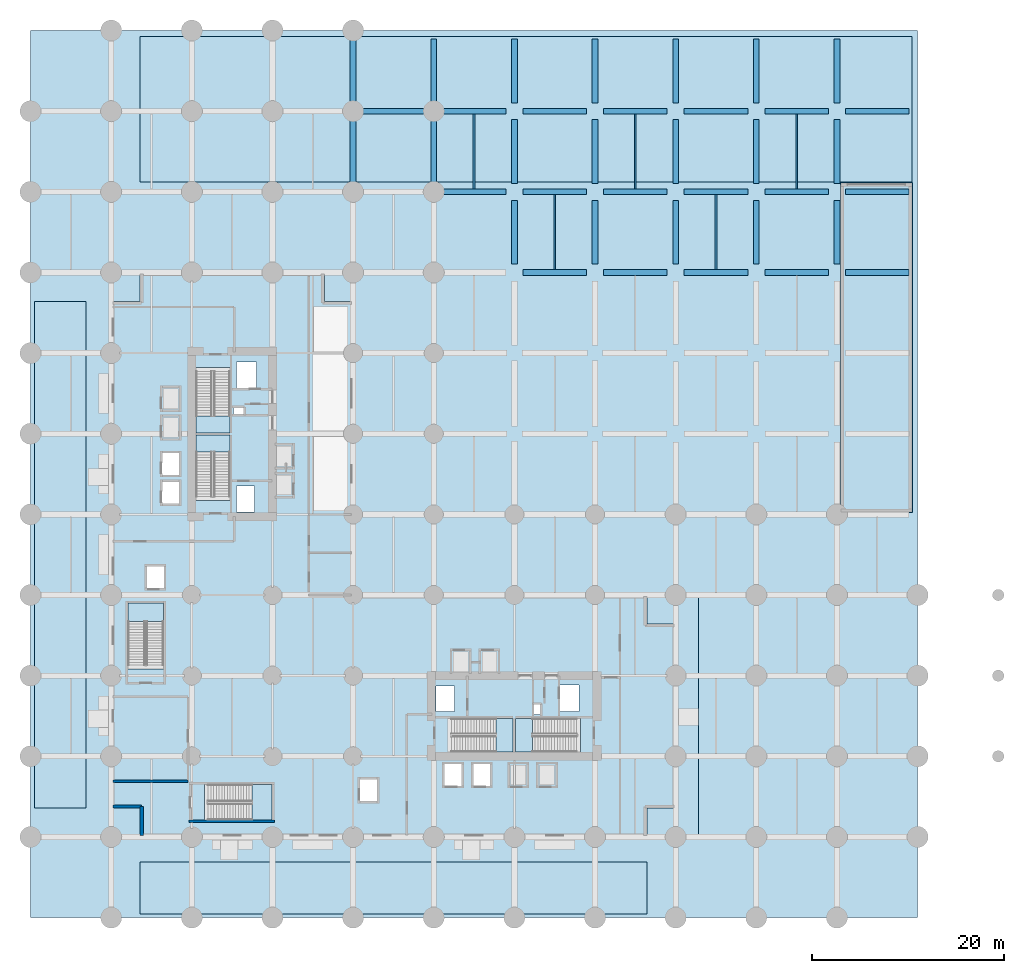
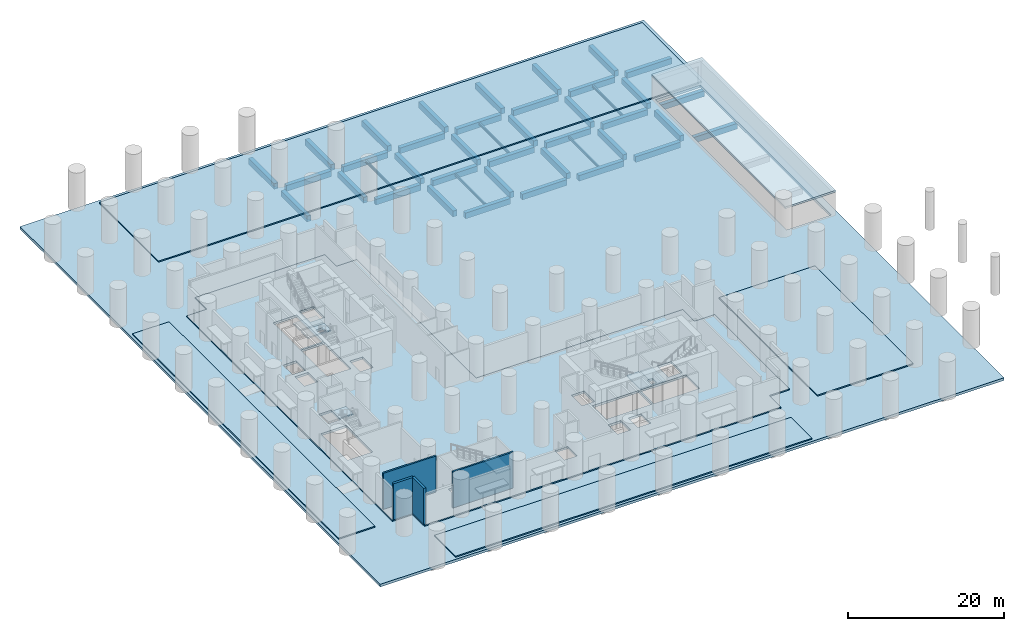
# One storey, part 4 of 13: 42 beams, 13 slabs, 4 walls, 6 elements without a shape of their own.
"""IFC4 building model written with IfcOpenShell, lengths in metres."""

from ifc_helpers import new_model, si_unit, direction, frame, frame_2d, origin, origin_2d, place, context, subcontext, project, spatial, polyline, rectangle, i_section, outline, extrude, material, layer, layer_set, material_profile, profile_set, type_object, element, aggregate, save


model = new_model("IFC4")

# Units and contexts
model_context = context("Model", 3, precision=1e-05, world=origin(), true_north=direction((0.0, 1.0)))
body_context = subcontext(model_context, "Body", "Model", "MODEL_VIEW")
ifc_project = project(units=[si_unit("LENGTHUNIT", "METRE"), si_unit("AREAUNIT", "SQUARE_METRE"), si_unit("VOLUMEUNIT", "CUBIC_METRE"), si_unit("PLANEANGLEUNIT", "RADIAN"), si_unit("MASSUNIT", "GRAM", prefix="KILO")], contexts=[model_context])

# Site, building, storey
site_placement = place(None, origin())
site = spatial("IfcSite", under=ifc_project, at=site_placement, CompositionType="ELEMENT")
building_placement = place(site_placement, origin())
building = spatial("IfcBuilding", under=site, at=building_placement, Name="Koriwani Terraces Tower", CompositionType="ELEMENT")
storey_placement = place(building_placement, origin())
storey = spatial("IfcBuildingStorey", under=building, at=storey_placement, Name="L00", CompositionType="ELEMENT", Elevation=0.0)

# Beams
ifc_material_1 = material(Name="Concrete C60/75", Category="concrete")
ifc_material_profile_1 = material_profile(ifc_material_1, rectangle(XDim=0.60009765625, YDim=0.89990234375, at=origin_2d()), Name="Concrete C60/75", Category="LoadBearing")
ifc_profile_set_1 = profile_set([ifc_material_profile_1], Name="Concrete C60/75")
beam_type_1 = type_object("IfcBeamType", Name="BEAM_RC_SPANDREL_600X900", PredefinedType="SPANDREL", material=ifc_profile_set_1)
beam_1_placement = place(storey_placement, frame((51.280029296875, 67.199951171875, -1.030029296875), z_axis=(1.0, 0.0, 0.0), x_axis=(0.0, 1.0, 0.0)))
element("IfcBeam", 1, at=beam_1_placement, inside=storey, type_object=beam_type_1, Name="L00 Spandrel Beam I (50.4-58.8m)", PredefinedType="SPANDREL", context=body_context, shape_type="SweptSolid", body=[
    extrude(rectangle(XDim=0.60009765625, YDim=0.89990234375, at=origin_2d()), origin(), (0.0, 0.0, 1.0), 6.639892578125),
])
beam_2_placement = place(storey_placement, frame((59.679931640625, 67.199951171875, -1.030029296875), z_axis=(1.0, 0.0, 0.0), x_axis=(0.0, 1.0, 0.0)))
element("IfcBeam", 2, at=beam_2_placement, inside=storey, type_object=beam_type_1, Name="L00 Spandrel Beam I (58.8-67.2m)", PredefinedType="SPANDREL", context=body_context, shape_type="SweptSolid", body=[
    extrude(rectangle(XDim=0.60009765625, YDim=0.89990234375, at=origin_2d()), origin(), (0.0, 0.0, 1.0), 6.64013671875),
])
beam_3_placement = place(storey_placement, frame((68.080078125, 67.199951171875, -1.030029296875), z_axis=(1.0, 0.0, 0.0), x_axis=(0.0, 1.0, 0.0)))
element("IfcBeam", 3, at=beam_3_placement, inside=storey, type_object=beam_type_1, Name="L00 Spandrel Beam I (67.2-75.6m)", PredefinedType="SPANDREL", context=body_context, shape_type="SweptSolid", body=[
    extrude(rectangle(XDim=0.60009765625, YDim=0.89990234375, at=origin_2d()), origin(), (0.0, 0.0, 1.0), 6.639892578125),
])
for number, where, z_axis, x_axis, name in (
    (4, (76.47998046875, 67.199951171875, -1.030029296875), (1.0, 0.0, 0.0), (0.0, 1.0, 0.0), "L00 Spandrel Beam I (75.6-84.0m)"),
    (5, (84.8798828125, 67.199951171875, -1.030029296875), (1.0, 0.0, 0.0), (0.0, 1.0, 0.0), "L00 Spandrel Beam I (84.0-92.4m)"),
    (6, (42.8798828125, 75.60009765625, -1.030029296875), (1.0, 0.0, 0.0), (0.0, 1.0, 0.0), "L00 Spandrel Beam J (42.0-50.4m)"),
):
    element("IfcBeam", number, at=place(storey_placement, frame(where, z_axis=z_axis, x_axis=x_axis)), inside=storey, type_object=beam_type_1, Name=name, PredefinedType="SPANDREL", context=body_context, shape_type="SweptSolid", body=[
        extrude(rectangle(XDim=0.60009765625, YDim=0.89990234375, at=origin_2d()), origin(), (0.0, 0.0, 1.0), 6.64013671875),
    ])
beam_4_placement = place(storey_placement, frame((51.280029296875, 75.60009765625, -1.030029296875), z_axis=(1.0, 0.0, 0.0), x_axis=(0.0, 1.0, 0.0)))
element("IfcBeam", 7, at=beam_4_placement, inside=storey, type_object=beam_type_1, Name="L00 Spandrel Beam J (50.4-58.8m)", PredefinedType="SPANDREL", context=body_context, shape_type="SweptSolid", body=[
    extrude(rectangle(XDim=0.60009765625, YDim=0.89990234375, at=origin_2d()), origin(), (0.0, 0.0, 1.0), 6.639892578125),
])
beam_5_placement = place(storey_placement, frame((59.679931640625, 75.60009765625, -1.030029296875), z_axis=(1.0, 0.0, 0.0), x_axis=(0.0, 1.0, 0.0)))
element("IfcBeam", 8, at=beam_5_placement, inside=storey, type_object=beam_type_1, Name="L00 Spandrel Beam J (58.8-67.2m)", PredefinedType="SPANDREL", context=body_context, shape_type="SweptSolid", body=[
    extrude(rectangle(XDim=0.60009765625, YDim=0.89990234375, at=origin_2d()), origin(), (0.0, 0.0, 1.0), 6.64013671875),
])
beam_6_placement = place(storey_placement, frame((68.080078125, 75.60009765625, -1.030029296875), z_axis=(1.0, 0.0, 0.0), x_axis=(0.0, 1.0, 0.0)))
element("IfcBeam", 9, at=beam_6_placement, inside=storey, type_object=beam_type_1, Name="L00 Spandrel Beam J (67.2-75.6m)", PredefinedType="SPANDREL", context=body_context, shape_type="SweptSolid", body=[
    extrude(rectangle(XDim=0.60009765625, YDim=0.89990234375, at=origin_2d()), origin(), (0.0, 0.0, 1.0), 6.639892578125),
])
for number, where, z_axis, x_axis, name in (
    (10, (76.47998046875, 75.60009765625, -1.030029296875), (1.0, 0.0, 0.0), (0.0, 1.0, 0.0), "L00 Spandrel Beam J (75.6-84.0m)"),
    (11, (84.8798828125, 75.60009765625, -1.030029296875), (1.0, 0.0, 0.0), (0.0, 1.0, 0.0), "L00 Spandrel Beam J (84.0-92.4m)"),
    (12, (34.47998046875, 84.0, -1.030029296875), (1.0, 0.0, 0.0), (0.0, 1.0, 0.0), "L00 Spandrel Beam K (33.6-42.0m)"),
    (13, (42.8798828125, 84.0, -1.030029296875), (1.0, 0.0, 0.0), (0.0, 1.0, 0.0), "L00 Spandrel Beam K (42.0-50.4m)"),
):
    element("IfcBeam", number, at=place(storey_placement, frame(where, z_axis=z_axis, x_axis=x_axis)), inside=storey, type_object=beam_type_1, Name=name, PredefinedType="SPANDREL", context=body_context, shape_type="SweptSolid", body=[
        extrude(rectangle(XDim=0.60009765625, YDim=0.89990234375, at=origin_2d()), origin(), (0.0, 0.0, 1.0), 6.64013671875),
    ])
beam_7_placement = place(storey_placement, frame((51.280029296875, 84.0, -1.030029296875), z_axis=(1.0, 0.0, 0.0), x_axis=(0.0, 1.0, 0.0)))
element("IfcBeam", 14, at=beam_7_placement, inside=storey, type_object=beam_type_1, Name="L00 Spandrel Beam K (50.4-58.8m)", PredefinedType="SPANDREL", context=body_context, shape_type="SweptSolid", body=[
    extrude(rectangle(XDim=0.60009765625, YDim=0.89990234375, at=origin_2d()), origin(), (0.0, 0.0, 1.0), 6.639892578125),
])
beam_8_placement = place(storey_placement, frame((59.679931640625, 84.0, -1.030029296875), z_axis=(1.0, 0.0, 0.0), x_axis=(0.0, 1.0, 0.0)))
element("IfcBeam", 15, at=beam_8_placement, inside=storey, type_object=beam_type_1, Name="L00 Spandrel Beam K (58.8-67.2m)", PredefinedType="SPANDREL", context=body_context, shape_type="SweptSolid", body=[
    extrude(rectangle(XDim=0.60009765625, YDim=0.89990234375, at=origin_2d()), origin(), (0.0, 0.0, 1.0), 6.64013671875),
])
beam_9_placement = place(storey_placement, frame((68.080078125, 84.0, -1.030029296875), z_axis=(1.0, 0.0, 0.0), x_axis=(0.0, 1.0, 0.0)))
element("IfcBeam", 16, at=beam_9_placement, inside=storey, type_object=beam_type_1, Name="L00 Spandrel Beam K (67.2-75.6m)", PredefinedType="SPANDREL", context=body_context, shape_type="SweptSolid", body=[
    extrude(rectangle(XDim=0.60009765625, YDim=0.89990234375, at=origin_2d()), origin(), (0.0, 0.0, 1.0), 6.639892578125),
])
for number, where, z_axis, x_axis, name in (
    (17, (76.47998046875, 84.0, -1.030029296875), (1.0, 0.0, 0.0), (0.0, 1.0, 0.0), "L00 Spandrel Beam K (75.6-84.0m)"),
    (18, (84.8798828125, 84.0, -1.030029296875), (1.0, 0.0, 0.0), (0.0, 1.0, 0.0), "L00 Spandrel Beam K (84.0-92.4m)"),
    (19, (33.60009765625, 76.47998046875, -1.030029296875), (0.0, 1.0, 0.0), (-1.0, 0.0, 0.0), "L00 Spandrel Beam 5 (75.6-84.0m)"),
    (20, (33.60009765625, 84.8798828125, -1.030029296875), (0.0, 1.0, 0.0), (-1.0, 0.0, 0.0), "L00 Spandrel Beam 5 (84.0-92.4m)"),
    (21, (42.0, 76.47998046875, -1.030029296875), (0.0, 1.0, 0.0), (-1.0, 0.0, 0.0), "L00 Spandrel Beam 6 (75.6-84.0m)"),
    (22, (42.0, 84.8798828125, -1.030029296875), (0.0, 1.0, 0.0), (-1.0, 0.0, 0.0), "L00 Spandrel Beam 6 (84.0-92.4m)"),
):
    element("IfcBeam", number, at=place(storey_placement, frame(where, z_axis=z_axis, x_axis=x_axis)), inside=storey, type_object=beam_type_1, Name=name, PredefinedType="SPANDREL", context=body_context, shape_type="SweptSolid", body=[
        extrude(rectangle(XDim=0.60009765625, YDim=0.89990234375, at=origin_2d()), origin(), (0.0, 0.0, 1.0), 6.64013671875),
    ])
beam_10_placement = place(storey_placement, frame((50.39990234375, 68.080078125, -1.030029296875), z_axis=(0.0, 1.0, 0.0), x_axis=(-1.0, 0.0, 0.0)))
element("IfcBeam", 23, at=beam_10_placement, inside=storey, type_object=beam_type_1, Name="L00 Spandrel Beam 7 (67.2-75.6m)", PredefinedType="SPANDREL", context=body_context, shape_type="SweptSolid", body=[
    extrude(rectangle(XDim=0.60009765625, YDim=0.89990234375, at=origin_2d()), origin(), (0.0, 0.0, 1.0), 6.639892578125),
])
for number, where, z_axis, x_axis, name in (
    (24, (50.39990234375, 76.47998046875, -1.030029296875), (0.0, 1.0, 0.0), (-1.0, 0.0, 0.0), "L00 Spandrel Beam 7 (75.6-84.0m)"),
    (25, (50.39990234375, 84.8798828125, -1.030029296875), (0.0, 1.0, 0.0), (-1.0, 0.0, 0.0), "L00 Spandrel Beam 7 (84.0-92.4m)"),
):
    element("IfcBeam", number, at=place(storey_placement, frame(where, z_axis=z_axis, x_axis=x_axis)), inside=storey, type_object=beam_type_1, Name=name, PredefinedType="SPANDREL", context=body_context, shape_type="SweptSolid", body=[
        extrude(rectangle(XDim=0.60009765625, YDim=0.89990234375, at=origin_2d()), origin(), (0.0, 0.0, 1.0), 6.64013671875),
    ])
beam_11_placement = place(storey_placement, frame((58.800048828125, 68.080078125, -1.030029296875), z_axis=(0.0, 1.0, 0.0), x_axis=(-1.0, 0.0, 0.0)))
element("IfcBeam", 26, at=beam_11_placement, inside=storey, type_object=beam_type_1, Name="L00 Spandrel Beam 8 (67.2-75.6m)", PredefinedType="SPANDREL", context=body_context, shape_type="SweptSolid", body=[
    extrude(rectangle(XDim=0.60009765625, YDim=0.89990234375, at=origin_2d()), origin(), (0.0, 0.0, 1.0), 6.639892578125),
])
for number, where, z_axis, x_axis, name in (
    (27, (58.800048828125, 76.47998046875, -1.030029296875), (0.0, 1.0, 0.0), (-1.0, 0.0, 0.0), "L00 Spandrel Beam 8 (75.6-84.0m)"),
    (28, (58.800048828125, 84.8798828125, -1.030029296875), (0.0, 1.0, 0.0), (-1.0, 0.0, 0.0), "L00 Spandrel Beam 8 (84.0-92.4m)"),
):
    element("IfcBeam", number, at=place(storey_placement, frame(where, z_axis=z_axis, x_axis=x_axis)), inside=storey, type_object=beam_type_1, Name=name, PredefinedType="SPANDREL", context=body_context, shape_type="SweptSolid", body=[
        extrude(rectangle(XDim=0.60009765625, YDim=0.89990234375, at=origin_2d()), origin(), (0.0, 0.0, 1.0), 6.64013671875),
    ])
beam_12_placement = place(storey_placement, frame((67.199951171875, 68.080078125, -1.030029296875), z_axis=(0.0, 1.0, 0.0), x_axis=(-1.0, 0.0, 0.0)))
element("IfcBeam", 29, at=beam_12_placement, inside=storey, type_object=beam_type_1, Name="L00 Spandrel Beam 9 (67.2-75.6m)", PredefinedType="SPANDREL", context=body_context, shape_type="SweptSolid", body=[
    extrude(rectangle(XDim=0.60009765625, YDim=0.89990234375, at=origin_2d()), origin(), (0.0, 0.0, 1.0), 6.639892578125),
])
for number, where, z_axis, x_axis, name in (
    (30, (67.199951171875, 76.47998046875, -1.030029296875), (0.0, 1.0, 0.0), (-1.0, 0.0, 0.0), "L00 Spandrel Beam 9 (75.6-84.0m)"),
    (31, (67.199951171875, 84.8798828125, -1.030029296875), (0.0, 1.0, 0.0), (-1.0, 0.0, 0.0), "L00 Spandrel Beam 9 (84.0-92.4m)"),
):
    element("IfcBeam", number, at=place(storey_placement, frame(where, z_axis=z_axis, x_axis=x_axis)), inside=storey, type_object=beam_type_1, Name=name, PredefinedType="SPANDREL", context=body_context, shape_type="SweptSolid", body=[
        extrude(rectangle(XDim=0.60009765625, YDim=0.89990234375, at=origin_2d()), origin(), (0.0, 0.0, 1.0), 6.64013671875),
    ])
beam_13_placement = place(storey_placement, frame((75.60009765625, 68.080078125, -1.030029296875), z_axis=(0.0, 1.0, 0.0), x_axis=(-1.0, 0.0, 0.0)))
element("IfcBeam", 32, at=beam_13_placement, inside=storey, type_object=beam_type_1, Name="L00 Spandrel Beam 10 (67.2-75.6m)", PredefinedType="SPANDREL", context=body_context, shape_type="SweptSolid", body=[
    extrude(rectangle(XDim=0.60009765625, YDim=0.89990234375, at=origin_2d()), origin(), (0.0, 0.0, 1.0), 6.639892578125),
])
for number, where, z_axis, x_axis, name in (
    (33, (75.60009765625, 76.47998046875, -1.030029296875), (0.0, 1.0, 0.0), (-1.0, 0.0, 0.0), "L00 Spandrel Beam 10 (75.6-84.0m)"),
    (34, (75.60009765625, 84.8798828125, -1.030029296875), (0.0, 1.0, 0.0), (-1.0, 0.0, 0.0), "L00 Spandrel Beam 10 (84.0-92.4m)"),
):
    element("IfcBeam", number, at=place(storey_placement, frame(where, z_axis=z_axis, x_axis=x_axis)), inside=storey, type_object=beam_type_1, Name=name, PredefinedType="SPANDREL", context=body_context, shape_type="SweptSolid", body=[
        extrude(rectangle(XDim=0.60009765625, YDim=0.89990234375, at=origin_2d()), origin(), (0.0, 0.0, 1.0), 6.64013671875),
    ])
beam_14_placement = place(storey_placement, frame((84.0, 68.080078125, -1.030029296875), z_axis=(0.0, 1.0, 0.0), x_axis=(-1.0, 0.0, 0.0)))
element("IfcBeam", 35, at=beam_14_placement, inside=storey, type_object=beam_type_1, Name="L00 Spandrel Beam 11 (67.2-75.6m)", PredefinedType="SPANDREL", context=body_context, shape_type="SweptSolid", body=[
    extrude(rectangle(XDim=0.60009765625, YDim=0.89990234375, at=origin_2d()), origin(), (0.0, 0.0, 1.0), 6.639892578125),
])
for number, where, z_axis, x_axis, name in (
    (36, (84.0, 76.47998046875, -1.030029296875), (0.0, 1.0, 0.0), (-1.0, 0.0, 0.0), "L00 Spandrel Beam 11 (75.6-84.0m)"),
    (37, (84.0, 84.8798828125, -1.030029296875), (0.0, 1.0, 0.0), (-1.0, 0.0, 0.0), "L00 Spandrel Beam 11 (84.0-92.4m)"),
):
    element("IfcBeam", number, at=place(storey_placement, frame(where, z_axis=z_axis, x_axis=x_axis)), inside=storey, type_object=beam_type_1, Name=name, PredefinedType="SPANDREL", context=body_context, shape_type="SweptSolid", body=[
        extrude(rectangle(XDim=0.60009765625, YDim=0.89990234375, at=origin_2d()), origin(), (0.0, 0.0, 1.0), 6.64013671875),
    ])
ifc_material_2 = material(Name="Steel ASTM A572 Grade 50", Category="steel")
ifc_material_profile_2 = material_profile(ifc_material_2, i_section(OverallWidth=0.180908203125, OverallDepth=0.4169921875, WebThickness=0.010986328125, FlangeThickness=0.018310546875, at=origin_2d()), Name="Steel ASTM A572 Grade 50", Category="LoadBearing")
ifc_profile_set_2 = profile_set([ifc_material_profile_2], Name="Steel ASTM A572 Grade 50")
beam_type_2 = type_object("IfcBeamType", Name="STEEL_BEAM_W410X85", PredefinedType="JOIST", material=ifc_profile_set_2)
for number, where, z_axis, x_axis, name in (
    (38, (46.199951171875, 75.889892578125, -0.78857421875), (0.0, 1.0, 0.0), (-1.0, 0.0, 0.0), "L00 Secondary Steel Floor Joist X=46.2m"),
    (39, (54.60009765625, 67.489990234375, -0.78857421875), (0.0, 1.0, 0.0), (-1.0, 0.0, 0.0), "L00 Secondary Steel Floor Joist X=54.6m"),
    (40, (63.0, 75.889892578125, -0.78857421875), (0.0, 1.0, 0.0), (-1.0, 0.0, 0.0), "L00 Secondary Steel Floor Joist X=63.0m"),
    (41, (71.39990234375, 67.489990234375, -0.78857421875), (0.0, 1.0, 0.0), (-1.0, 0.0, 0.0), "L00 Secondary Steel Floor Joist X=71.4m"),
    (42, (79.800048828125, 75.889892578125, -0.78857421875), (0.0, 1.0, 0.0), (-1.0, 0.0, 0.0), "L00 Secondary Steel Floor Joist X=79.8m"),
):
    element("IfcBeam", number, at=place(storey_placement, frame(where, z_axis=z_axis, x_axis=x_axis)), inside=storey, type_object=beam_type_2, Name=name, PredefinedType="JOIST", context=body_context, shape_type="SweptSolid", body=[
        extrude(i_section(OverallWidth=0.180908203125, OverallDepth=0.4169921875, WebThickness=0.010986328125, FlangeThickness=0.018310546875, at=origin_2d()), origin(), (0.0, 0.0, 1.0), 7.820068359375),
    ])

# Slabs
ifc_material_3 = material(Name="Concrete C50/60", Category="concrete")
ifc_layer_1 = layer(ifc_material_3, 0.39990234375, Name="Concrete C50/60")
ifc_layer_set_1 = layer_set([ifc_layer_1], Name="Concrete C50/60")
slab_type_1 = type_object("IfcSlabType", Name="SLAB_BASEMENT_MAT_400", PredefinedType="BASESLAB", material=ifc_layer_set_1)
slab_1_placement = place(storey_placement, frame((0.0, 0.0, -0.580078125)))
element("IfcSlab", 43, at=slab_1_placement, inside=storey, type_object=slab_type_1, Name="L00 Open Pilotis Structural Plaza Deck 1", PredefinedType="BASESLAB", context=body_context, shape_type="SweptSolid", body=[
    extrude(outline(polyline([(0.0, 0.0), (0.0, 92.39990234375), (92.39990234375, 92.39990234375), (92.39990234375, 0.0), (0.0, 0.0)]), holes=[polyline([(64.199951171875, 8.39990234375), (64.199951171875, 11.39990234375), (67.199951171875, 11.39990234375), (67.199951171875, 30.60009765625), (64.199951171875, 30.60009765625), (64.199951171875, 33.60009765625), (33.60009765625, 33.60009765625), (33.60009765625, 64.199951171875), (30.60009765625, 64.199951171875), (30.60009765625, 67.199951171875), (11.39990234375, 67.199951171875), (11.39990234375, 64.199951171875), (8.39990234375, 64.199951171875), (8.39990234375, 11.39990234375), (11.39990234375, 11.39990234375), (11.39990234375, 8.39990234375), (64.199951171875, 8.39990234375)]), polyline([(84.800048828125, 42.60009765625), (91.39990234375, 42.60009765625), (91.39990234375, 76.199951171875), (84.800048828125, 76.199951171875), (84.800048828125, 42.60009765625)])]), origin(), (0.0, 0.0, 1.0), 0.400146484375),
])
ifc_layer_2 = layer(ifc_material_3, 0.280029296875, Name="Concrete C50/60")
ifc_layer_set_2 = layer_set([ifc_layer_2], Name="Concrete C50/60")
slab_type_2 = type_object("IfcSlabType", Name="SLAB_MAIN_ROOF_280", PredefinedType="ROOF", material=ifc_layer_set_2)
slab_2_placement = place(storey_placement, frame((0.0, 0.0, 3.5)))
element("IfcSlab", 44, at=slab_2_placement, inside=storey, type_object=slab_type_2, Name="L00 Basement Entry Portal Weather Hood Roof", PredefinedType="ROOF", context=body_context, shape_type="SweptSolid", body=[
    extrude(outline(polyline([(84.35009765625, 42.199951171875), (91.85009765625, 42.199951171875), (91.85009765625, 76.550048828125), (84.35009765625, 76.550048828125), (84.35009765625, 42.199951171875)])), origin(), (0.0, 0.0, 1.0), 0.280029296875),
])
ifc_material_4 = material(Name="Concrete C40/50", Category="concrete")
ifc_layer_3 = layer(ifc_material_4, 0.179931640625, Name="Concrete C40/50")
ifc_layer_set_3 = layer_set([ifc_layer_3], Name="Concrete C40/50")
slab_type_3 = type_object("IfcSlabType", Name="SLAB_PLAZA_PAVING_180", PredefinedType="USERDEFINED", material=ifc_layer_set_3)
slab_3_placement = place(storey_placement, frame((0.0, 0.0, -0.179931640625)))
element("IfcSlab", 45, at=slab_3_placement, inside=storey, type_object=slab_type_3, Name="L00 Civic Plaza & Driveway Paving (South)", ObjectType="PAVING", PredefinedType="USERDEFINED", context=body_context, shape_type="SweptSolid", body=[
    extrude(outline(polyline([(11.39990234375, 0.39990234375), (64.199951171875, 0.39990234375), (64.199951171875, 5.800048828125), (11.39990234375, 5.800048828125), (11.39990234375, 0.39990234375)])), origin(), (0.0, 0.0, 1.0), 0.179931640625),
])
slab_4_placement = place(storey_placement, frame((0.0, 0.0, -0.179931640625)))
element("IfcSlab", 46, at=slab_4_placement, inside=storey, type_object=slab_type_3, Name="L00 Civic Plaza & Driveway Paving (West)", ObjectType="PAVING", PredefinedType="USERDEFINED", context=body_context, shape_type="SweptSolid", body=[
    extrude(outline(polyline([(0.39990234375, 11.39990234375), (5.800048828125, 11.39990234375), (5.800048828125, 64.199951171875), (0.39990234375, 64.199951171875), (0.39990234375, 11.39990234375)])), origin(), (0.0, 0.0, 1.0), 0.179931640625),
])
slab_5_placement = place(storey_placement, frame((0.0, 0.0, -0.179931640625)))
element("IfcSlab", 47, at=slab_5_placement, inside=storey, type_object=slab_type_3, Name="L00 Civic Plaza & Driveway Paving (North-Apron)", ObjectType="PAVING", PredefinedType="USERDEFINED", context=body_context, shape_type="SweptSolid", body=[
    extrude(outline(polyline([(11.39990234375, 76.60009765625), (91.800048828125, 76.60009765625), (91.800048828125, 91.800048828125), (11.39990234375, 91.800048828125), (11.39990234375, 76.60009765625)])), origin(), (0.0, 0.0, 1.0), 0.179931640625),
])
slab_6_placement = place(storey_placement, frame((0.0, 0.0, -0.179931640625)))
element("IfcSlab", 48, at=slab_6_placement, inside=storey, type_object=slab_type_3, Name="L00 Civic Plaza & Driveway Paving (East-Dropoff)", ObjectType="PAVING", PredefinedType="USERDEFINED", context=body_context, shape_type="SweptSolid", body=[
    extrude(outline(polyline([(69.60009765625, 8.39990234375), (83.800048828125, 8.39990234375), (83.800048828125, 33.60009765625), (69.60009765625, 33.60009765625), (69.60009765625, 8.39990234375)])), origin(), (0.0, 0.0, 1.0), 0.179931640625),
])
ifc_layer_4 = layer(ifc_material_3, 0.35009765625, Name="Concrete C50/60")
ifc_layer_set_4 = layer_set([ifc_layer_4], Name="Concrete C50/60")
slab_type_4 = type_object("IfcSlabType", Name="SLAB_PODIUM_350", PredefinedType="FLOOR", material=ifc_layer_set_4)
slab_7_placement = place(storey_placement, frame((0.0, 0.0, -0.35009765625)))
element("IfcSlab", 49, at=slab_7_placement, inside=storey, type_object=slab_type_4, Name="L00 Structural Floor Slab", PredefinedType="FLOOR", context=body_context, shape_type="SweptSolid", body=[
    extrude(outline(polyline([(11.39990234375, 8.39990234375), (64.199951171875, 8.39990234375), (64.199951171875, 11.39990234375), (67.199951171875, 11.39990234375), (67.199951171875, 30.60009765625), (64.199951171875, 30.60009765625), (64.199951171875, 33.60009765625), (33.60009765625, 33.60009765625), (33.60009765625, 64.199951171875), (30.60009765625, 64.199951171875), (30.60009765625, 67.199951171875), (11.39990234375, 67.199951171875), (11.39990234375, 64.199951171875), (8.39990234375, 64.199951171875), (8.39990234375, 11.39990234375), (11.39990234375, 11.39990234375), (11.39990234375, 8.39990234375)]), holes=[polyline([(17.25, 43.4599609375), (20.75, 43.4599609375), (20.75, 50.25), (17.25, 50.25), (17.25, 43.4599609375)]), polyline([(17.25, 50.5), (20.75, 50.5), (20.75, 57.2900390625), (17.25, 57.2900390625), (17.25, 50.5)]), polyline([(43.4599609375, 17.25), (50.25, 17.25), (50.25, 20.75), (43.4599609375, 20.75), (43.4599609375, 17.25)]), polyline([(50.5, 17.25), (57.2900390625, 17.25), (57.2900390625, 20.75), (50.5, 20.75), (50.5, 17.25)]), polyline([(10.14990234375, 25.909912109375), (13.85009765625, 25.909912109375), (13.85009765625, 32.75), (10.14990234375, 32.75), (10.14990234375, 25.909912109375)]), polyline([(18.110107421875, 10.14990234375), (25.14990234375, 10.14990234375), (25.14990234375, 13.85009765625), (18.110107421875, 13.85009765625), (18.110107421875, 10.14990234375)]), polyline([(12.050048828125, 34.25), (13.949951171875, 34.25), (13.949951171875, 36.64990234375), (12.050048828125, 36.64990234375), (12.050048828125, 34.25)]), polyline([(34.25, 12.050048828125), (36.14990234375, 12.050048828125), (36.14990234375, 14.449951171875), (34.25, 14.449951171875), (34.25, 12.050048828125)]), polyline([(13.64990234375, 43.050048828125), (15.550048828125, 43.050048828125), (15.550048828125, 45.449951171875), (13.64990234375, 45.449951171875), (13.64990234375, 43.050048828125)]), polyline([(13.64990234375, 46.050048828125), (15.550048828125, 46.050048828125), (15.550048828125, 48.449951171875), (13.64990234375, 48.449951171875), (13.64990234375, 46.050048828125)]), polyline([(43.050048828125, 13.64990234375), (44.949951171875, 13.64990234375), (44.949951171875, 16.050048828125), (43.050048828125, 16.050048828125), (43.050048828125, 13.64990234375)]), polyline([(46.050048828125, 13.64990234375), (47.949951171875, 13.64990234375), (47.949951171875, 16.050048828125), (46.050048828125, 16.050048828125), (46.050048828125, 13.64990234375)]), polyline([(21.449951171875, 55.050048828125), (23.550048828125, 55.050048828125), (23.550048828125, 57.85009765625), (21.449951171875, 57.85009765625), (21.449951171875, 55.050048828125)]), polyline([(55.050048828125, 21.449951171875), (57.14990234375, 21.449951171875), (57.14990234375, 24.25), (55.050048828125, 24.25), (55.050048828125, 21.449951171875)]), polyline([(21.449951171875, 42.25), (23.35009765625, 42.25), (23.35009765625, 44.949951171875), (21.449951171875, 44.949951171875), (21.449951171875, 42.25)]), polyline([(42.25, 21.449951171875), (44.14990234375, 21.449951171875), (44.14990234375, 24.14990234375), (42.25, 24.14990234375), (42.25, 21.449951171875)]), polyline([(21.14990234375, 52.419921875), (22.219970703125, 52.419921875), (22.219970703125, 53.179931640625), (21.14990234375, 53.179931640625), (21.14990234375, 52.419921875)]), polyline([(52.419921875, 21.14990234375), (53.179931640625, 21.14990234375), (53.179931640625, 22.219970703125), (52.419921875, 22.219970703125), (52.419921875, 21.14990234375)])]), origin(), (0.0, 0.0, 1.0), 0.35009765625),
])

# Stair, slab
stair_type_1 = type_object("IfcStairType", Name="STAIR_CORE_DOGLEG_1650", PredefinedType="TWO_STRAIGHT_RUN_STAIR", material=ifc_material_4)
stair_1_placement = place(storey_placement, origin())
stair_1 = element("IfcStair", 50, at=stair_1_placement, inside=storey, type_object=stair_type_1, Name="L00 West Core Exit Stair 1", PredefinedType="HALF_TURN_STAIR")
ifc_layer_5 = layer(ifc_material_4, 0.199951171875, Name="Concrete C40/50")
ifc_layer_set_5 = layer_set([ifc_layer_5], Name="Concrete C40/50")
slab_type_5 = type_object("IfcSlabType", Name="SLAB_STAIR_LANDING_200", PredefinedType="LANDING", material=ifc_layer_set_5)
slab_8_placement = place(storey_placement, frame((0.0, 0.0, 2.800048828125)))
slab_8 = element("IfcSlab", 51, at=slab_8_placement, type_object=slab_type_5, Name="ST-W1 landing 1", PredefinedType="LANDING", context=body_context, shape_type="SweptSolid", body=[
    extrude(outline(polyline([(20.75, 48.489990234375), (20.75, 50.25), (17.25, 50.25), (17.25, 48.489990234375), (20.75, 48.489990234375)])), origin(), (0.0, 0.0, 1.0), 0.199951171875),
])
aggregate(stair_1, [slab_8])

stair_2_placement = place(storey_placement, origin())
stair_2 = element("IfcStair", 52, at=stair_2_placement, inside=storey, type_object=stair_type_1, Name="L00 West Core Exit Stair 2", PredefinedType="HALF_TURN_STAIR")
slab_9_placement = place(storey_placement, frame((0.0, 0.0, 2.800048828125)))
slab_9 = element("IfcSlab", 53, at=slab_9_placement, type_object=slab_type_5, Name="ST-W2 landing 1", PredefinedType="LANDING", context=body_context, shape_type="SweptSolid", body=[
    extrude(outline(polyline([(17.25, 52.260009765625), (17.25, 50.5), (20.75, 50.5), (20.75, 52.260009765625), (17.25, 52.260009765625)])), origin(), (0.0, 0.0, 1.0), 0.199951171875),
])
aggregate(stair_2, [slab_9])

stair_3_placement = place(storey_placement, origin())
stair_3 = element("IfcStair", 54, at=stair_3_placement, inside=storey, type_object=stair_type_1, Name="L00 East Core Exit Stair 1", PredefinedType="HALF_TURN_STAIR")
slab_10_placement = place(storey_placement, frame((0.0, 0.0, 2.800048828125)))
slab_10 = element("IfcSlab", 55, at=slab_10_placement, type_object=slab_type_5, Name="ST-E1 landing 1", PredefinedType="LANDING", context=body_context, shape_type="SweptSolid", body=[
    extrude(outline(polyline([(48.489990234375, 17.25), (50.25, 17.25), (50.25, 20.75), (48.489990234375, 20.75), (48.489990234375, 17.25)])), origin(), (0.0, 0.0, 1.0), 0.199951171875),
])
aggregate(stair_3, [slab_10])

stair_4_placement = place(storey_placement, origin())
stair_4 = element("IfcStair", 56, at=stair_4_placement, inside=storey, type_object=stair_type_1, Name="L00 East Core Exit Stair 2", PredefinedType="HALF_TURN_STAIR")
slab_11_placement = place(storey_placement, frame((0.0, 0.0, 2.800048828125)))
slab_11 = element("IfcSlab", 57, at=slab_11_placement, type_object=slab_type_5, Name="ST-E2 landing 1", PredefinedType="LANDING", context=body_context, shape_type="SweptSolid", body=[
    extrude(outline(polyline([(52.260009765625, 20.75), (50.5, 20.75), (50.5, 17.25), (52.260009765625, 17.25), (52.260009765625, 20.75)])), origin(), (0.0, 0.0, 1.0), 0.199951171875),
])
aggregate(stair_4, [slab_11])

stair_type_2 = type_object("IfcStairType", Name="STAIR_PODIUM_DOGLEG_1750", PredefinedType="TWO_STRAIGHT_RUN_STAIR", material=ifc_material_4)
stair_5_placement = place(storey_placement, origin())
stair_5 = element("IfcStair", 58, at=stair_5_placement, inside=storey, type_object=stair_type_2, Name="L00 Podium West Exit Stair", PredefinedType="HALF_TURN_STAIR")
slab_12_placement = place(storey_placement, frame((0.0, 0.0, 2.800048828125)))
slab_12 = element("IfcSlab", 59, at=slab_12_placement, type_object=slab_type_5, Name="ST-P1 landing 1", PredefinedType="LANDING", context=body_context, shape_type="SweptSolid", body=[
    extrude(outline(polyline([(13.85009765625, 30.860107421875), (13.85009765625, 32.75), (10.14990234375, 32.75), (10.14990234375, 30.860107421875), (13.85009765625, 30.860107421875)])), origin(), (0.0, 0.0, 1.0), 0.199951171875),
])
aggregate(stair_5, [slab_12])

stair_6_placement = place(storey_placement, origin())
stair_6 = element("IfcStair", 60, at=stair_6_placement, inside=storey, type_object=stair_type_2, Name="L00 Podium South Exit Stair", PredefinedType="HALF_TURN_STAIR")
slab_13_placement = place(storey_placement, frame((0.0, 0.0, 2.800048828125)))
slab_13 = element("IfcSlab", 61, at=slab_13_placement, type_object=slab_type_5, Name="ST-P2 landing 1", PredefinedType="LANDING", context=body_context, shape_type="SweptSolid", body=[
    extrude(outline(polyline([(23.06005859375, 10.14990234375), (25.14990234375, 10.14990234375), (25.14990234375, 13.85009765625), (23.06005859375, 13.85009765625), (23.06005859375, 10.14990234375)])), origin(), (0.0, 0.0, 1.0), 0.199951171875),
])
aggregate(stair_6, [slab_13])

# Walls
ifc_layer_6 = layer(ifc_material_3, 0.35009765625, Name="Concrete C50/60")
ifc_layer_set_6 = layer_set([ifc_layer_6], Name="Concrete C50/60")
wall_type_1 = type_object("IfcWallType", Name="WALL_EXT_BRUTALIST_350", PredefinedType="STANDARD", material=ifc_layer_set_6)
for number, where, z_axis, x_axis, name in (
    (62, (11.574951171875, 8.574951171875, 0.0), (0.0, 0.0, 1.0), (0.0, 1.0, 0.0), "L00 Fair-Faced Brutalist Exterior Wall (N0)"),
    (63, (11.574951171875, 11.574951171875, 0.0), (0.0, 0.0, 1.0), (-1.0, 0.0, 0.0), "L00 Fair-Faced Brutalist Exterior Wall (N1)"),
):
    element("IfcWall", number, at=place(storey_placement, frame(where, z_axis=z_axis, x_axis=x_axis)), inside=storey, type_object=wall_type_1, Name=name, PredefinedType="STANDARD", context=body_context, shape_type="SweptSolid", body=[
        extrude(rectangle(XDim=3.0, YDim=0.35009765625, at=frame_2d((1.5, 0.0))), origin(), (0.0, 0.0, 1.0), 5.64990234375),
    ])
ifc_layer_7 = layer(ifc_material_4, 0.25, Name="Concrete C40/50")
ifc_layer_set_7 = layer_set([ifc_layer_7], Name="Concrete C40/50")
wall_type_2 = type_object("IfcWallType", Name="WALL_SHAFT_RATED_250", PredefinedType="SOLIDWALL", material=ifc_layer_set_7)
wall_1_placement = place(storey_placement, frame((16.5, 10.02490234375, 0.0), z_axis=(0.0, 0.0, 1.0), x_axis=(1.0, 0.0, 0.0)))
element("IfcWall", 64, at=wall_1_placement, inside=storey, type_object=wall_type_2, Name="L00 Podium Stair ST-P2 South Bearing Wall", PredefinedType="SOLIDWALL", context=body_context, shape_type="SweptSolid", body=[
    extrude(rectangle(XDim=8.89990234375, YDim=0.25, at=frame_2d((4.449951171875, 0.0))), origin(), (0.0, 0.0, 1.0), 5.64990234375),
])
wall_2_placement = place(storey_placement, frame((8.60009765625, 14.199951171875, 0.0), z_axis=(0.0, 0.0, 1.0), x_axis=(1.0, 0.0, 0.0)))
element("IfcWall", 65, at=wall_2_placement, inside=storey, type_object=wall_type_2, Name="L00 Interior Wall WL00-FCR-S", PredefinedType="SOLIDWALL", context=body_context, shape_type="SweptSolid", body=[
    extrude(rectangle(XDim=7.7998046875, YDim=0.25, at=frame_2d((3.89990234375, 0.0))), origin(), (0.0, 0.0, 1.0), 5.64990234375),
])

save(model, "model.ifc")
